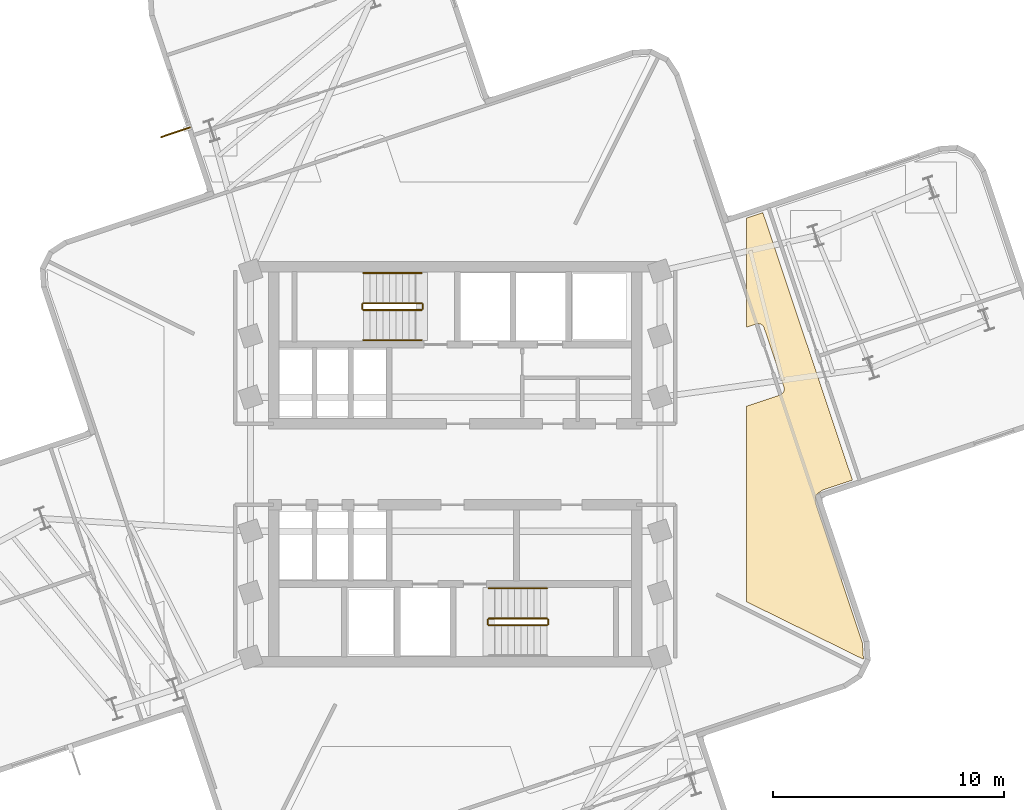
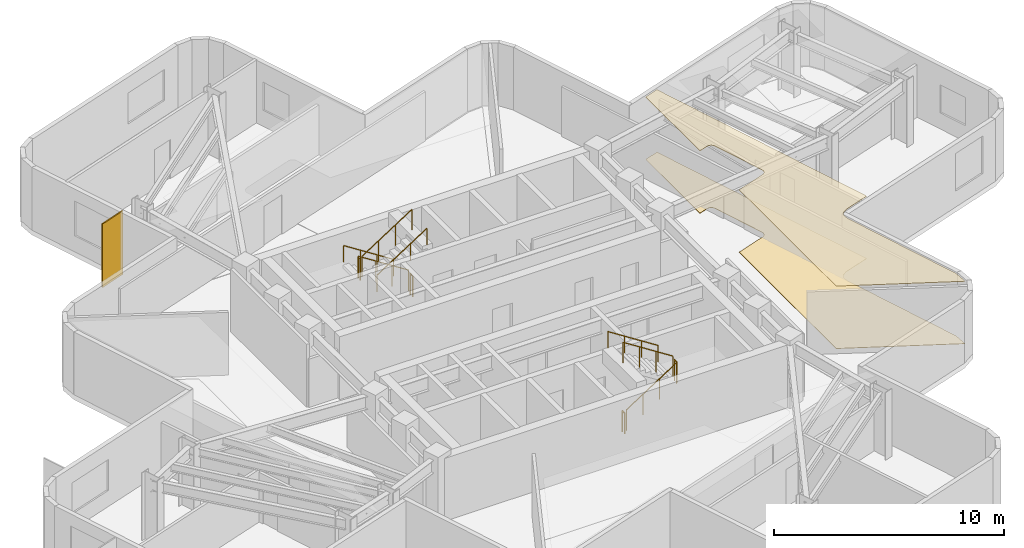
# One storey, part 7 of 8: 11 railings, 2 coverings, 1 shading device.
"""IFC4 building model written with IfcOpenShell, lengths in metres."""

from ifc_helpers import new_model, si_unit, direction, frame, origin, origin_2d, place, context, subcontext, project, spatial, polyline, rectangle, circle, outline, extrude, material, layer, layer_set, type_object, element, save


model = new_model("IFC4")

# Units and contexts
model_context = context("Model", 3, precision=1e-05, world=origin(), true_north=direction((0.0, 1.0)))
body_context = subcontext(model_context, "Body", "Model", "MODEL_VIEW")
ifc_project = project(units=[si_unit("LENGTHUNIT", "METRE"), si_unit("AREAUNIT", "SQUARE_METRE"), si_unit("VOLUMEUNIT", "CUBIC_METRE"), si_unit("PLANEANGLEUNIT", "RADIAN"), si_unit("MASSUNIT", "GRAM", prefix="KILO")], contexts=[model_context])

# Site, building, storey
site_placement = place(None, origin())
site = spatial("IfcSite", under=ifc_project, at=site_placement, CompositionType="ELEMENT")
building_placement = place(site_placement, origin())
building = spatial("IfcBuilding", under=site, at=building_placement, Name="Solmarez Civic Tower", CompositionType="ELEMENT")
storey_placement = place(building_placement, frame((0.0, 0.0, 159.47998046875)))
storey = spatial("IfcBuildingStorey", under=building, at=storey_placement, Name="L42", CompositionType="ELEMENT", Elevation=159.47998046875)

# Coverings
ifc_material_1 = material(Name="Perforated Mineral-Fibre Acoustic Ceiling")
ifc_layer_1 = layer(ifc_material_1, 0.02490234375)
ifc_layer_set_1 = layer_set([ifc_layer_1], Name="Perforated Mineral-Fibre Acoustic Ceiling")
covering_type_1 = type_object("IfcCoveringType", Name="COV-CEIL-ACOUSTIC", PredefinedType="CEILING", material=ifc_layer_set_1)
covering_1_placement = place(storey_placement, frame((0.0, 0.0, 3.31494140625)))
element("IfcCovering", 1, at=covering_1_placement, inside=storey, type_object=covering_type_1, Name="L42 Suspended Acoustic Ceiling 3", PredefinedType="CEILING", context=body_context, shape_type="SweptSolid", body=[
    extrude(outline(polyline([(12.60009765625, 10.64794921875), (12.60009765625, 5.924072265625), (13.01611328125, 6.06298828125), (13.030029296875, 6.068115234375), (13.050048828125, 6.072998046875), (13.054931640625, 6.073974609375), (13.075927734375, 6.076904296875), (13.097900390625, 6.077880859375), (13.10693359375, 6.077880859375), (13.12890625, 6.076904296875), (13.14990234375, 6.073974609375), (13.155029296875, 6.072998046875), (13.159912109375, 6.072021484375), (13.18701171875, 6.06494140625), (13.196044921875, 6.06201171875), (13.215087890625, 6.053955078125), (13.23291015625, 6.044921875), (13.241943359375, 6.0400390625), (13.259033203125, 6.030029296875), (13.27490234375, 6.01708984375), (13.291015625, 6.00390625), (13.298095703125, 5.9970703125), (13.31396484375, 5.97802734375), (13.3291015625, 5.9580078125), (13.333984375, 5.949951171875), (13.347900390625, 5.922119140625), (13.35205078125, 5.9130859375), (13.360107421875, 5.89404296875), (14.216064453125, 3.3359375), (14.220947265625, 3.322021484375), (14.22607421875, 3.302001953125), (14.22705078125, 3.297119140625), (14.22998046875, 3.27587890625), (14.23095703125, 3.25390625), (14.23095703125, 3.2451171875), (14.22998046875, 3.222900390625), (14.22705078125, 3.201904296875), (14.22607421875, 3.197021484375), (14.22509765625, 3.19189453125), (14.218017578125, 3.1650390625), (14.215087890625, 3.156005859375), (14.2060546875, 3.134033203125), (14.195068359375, 3.113037109375), (14.19189453125, 3.10791015625), (14.180908203125, 3.092041015625), (14.169921875, 3.077880859375), (14.1650390625, 3.072021484375), (14.156982421875, 3.06201171875), (14.14306640625, 3.048095703125), (14.126953125, 3.034912109375), (14.111083984375, 3.02294921875), (14.10302734375, 3.01806640625), (14.074951171875, 3.00390625), (14.06591796875, 3.0), (14.047119140625, 2.991943359375), (12.60009765625, 2.508056640625), (12.60009765625, -5.950927734375), (17.65087890625, -8.43505859375), (17.654052734375, -8.428955078125), (17.610107421875, -7.720947265625), (15.611083984375, -1.748046875), (15.60791015625, -1.738037109375), (15.60595703125, -1.73095703125), (15.60009765625, -1.701904296875), (15.59912109375, -1.695068359375), (15.597900390625, -1.68798828125), (15.595947265625, -1.6708984375), (15.5849609375, -1.4990234375), (15.5849609375, -1.485107421875), (15.5849609375, -1.47802734375), (15.5869140625, -1.450927734375), (15.587890625, -1.43896484375), (15.589111328125, -1.431884765625), (15.593994140625, -1.409912109375), (15.595947265625, -1.402099609375), (15.60107421875, -1.385009765625), (15.60693359375, -1.367919921875), (15.610107421875, -1.361083984375), (15.614990234375, -1.35009765625), (15.617919921875, -1.343994140625), (15.6240234375, -1.3330078125), (15.6279296875, -1.325927734375), (15.637939453125, -1.31005859375), (15.64990234375, -1.2939453125), (15.655029296875, -1.2880859375), (15.659912109375, -1.281982421875), (15.673095703125, -1.26708984375), (15.68798828125, -1.25390625), (15.694091796875, -1.2490234375), (15.712890625, -1.235107421875), (15.718994140625, -1.23095703125), (15.862060546875, -1.135986328125), (15.867919921875, -1.132080078125), (15.885009765625, -1.1220703125), (15.903076171875, -1.113037109375), (15.909912109375, -1.110107421875), (15.927001953125, -1.10302734375), (15.93310546875, -1.10107421875), (17.176025390625, -0.68603515625), (13.303955078125, 10.884033203125), (12.60009765625, 10.64794921875)])), origin(), (0.0, 0.0, 1.0), 0.025146484375),
])
ifc_material_2 = material(Name="Polished Tropical Stone Terrazzo Flooring", Category="masonry")
ifc_layer_2 = layer(ifc_material_2, 0.02001953125)
ifc_layer_set_2 = layer_set([ifc_layer_2], Name="Polished Tropical Stone Terrazzo Flooring")
covering_type_2 = type_object("IfcCoveringType", Name="COV-FLOOR-TERRAZZO", PredefinedType="FLOORING", material=ifc_layer_set_2)
covering_2_placement = place(storey_placement, origin())
element("IfcCovering", 2, at=covering_2_placement, inside=storey, type_object=covering_type_2, Name="L42 Terrazzo Floor Finish 3", PredefinedType="FLOORING", context=body_context, shape_type="SweptSolid", body=[
    extrude(outline(polyline([(12.60009765625, 10.64794921875), (12.60009765625, 5.924072265625), (13.01611328125, 6.06298828125), (13.030029296875, 6.068115234375), (13.050048828125, 6.072998046875), (13.054931640625, 6.073974609375), (13.075927734375, 6.076904296875), (13.097900390625, 6.077880859375), (13.10693359375, 6.077880859375), (13.12890625, 6.076904296875), (13.14990234375, 6.073974609375), (13.155029296875, 6.072998046875), (13.159912109375, 6.072021484375), (13.18701171875, 6.06494140625), (13.196044921875, 6.06201171875), (13.215087890625, 6.053955078125), (13.23291015625, 6.044921875), (13.241943359375, 6.0400390625), (13.259033203125, 6.030029296875), (13.27490234375, 6.01708984375), (13.291015625, 6.00390625), (13.298095703125, 5.9970703125), (13.31396484375, 5.97802734375), (13.3291015625, 5.9580078125), (13.333984375, 5.949951171875), (13.347900390625, 5.922119140625), (13.35205078125, 5.9130859375), (13.360107421875, 5.89404296875), (14.216064453125, 3.3359375), (14.220947265625, 3.322021484375), (14.22607421875, 3.302001953125), (14.22705078125, 3.297119140625), (14.22998046875, 3.27587890625), (14.23095703125, 3.25390625), (14.23095703125, 3.2451171875), (14.22998046875, 3.222900390625), (14.22705078125, 3.201904296875), (14.22607421875, 3.197021484375), (14.22509765625, 3.19189453125), (14.218017578125, 3.1650390625), (14.215087890625, 3.156005859375), (14.2060546875, 3.134033203125), (14.195068359375, 3.113037109375), (14.19189453125, 3.10791015625), (14.180908203125, 3.092041015625), (14.169921875, 3.077880859375), (14.1650390625, 3.072021484375), (14.156982421875, 3.06201171875), (14.14306640625, 3.048095703125), (14.126953125, 3.034912109375), (14.111083984375, 3.02294921875), (14.10302734375, 3.01806640625), (14.074951171875, 3.00390625), (14.06591796875, 3.0), (14.047119140625, 2.991943359375), (12.60009765625, 2.508056640625), (12.60009765625, -5.950927734375), (17.65087890625, -8.43505859375), (17.654052734375, -8.428955078125), (17.610107421875, -7.720947265625), (15.611083984375, -1.748046875), (15.60791015625, -1.738037109375), (15.60595703125, -1.73095703125), (15.60009765625, -1.701904296875), (15.59912109375, -1.695068359375), (15.597900390625, -1.68798828125), (15.595947265625, -1.6708984375), (15.5849609375, -1.4990234375), (15.5849609375, -1.485107421875), (15.5849609375, -1.47802734375), (15.5869140625, -1.450927734375), (15.587890625, -1.43896484375), (15.589111328125, -1.431884765625), (15.593994140625, -1.409912109375), (15.595947265625, -1.402099609375), (15.60107421875, -1.385009765625), (15.60693359375, -1.367919921875), (15.610107421875, -1.361083984375), (15.614990234375, -1.35009765625), (15.617919921875, -1.343994140625), (15.6240234375, -1.3330078125), (15.6279296875, -1.325927734375), (15.637939453125, -1.31005859375), (15.64990234375, -1.2939453125), (15.655029296875, -1.2880859375), (15.659912109375, -1.281982421875), (15.673095703125, -1.26708984375), (15.68798828125, -1.25390625), (15.694091796875, -1.2490234375), (15.712890625, -1.235107421875), (15.718994140625, -1.23095703125), (15.862060546875, -1.135986328125), (15.867919921875, -1.132080078125), (15.885009765625, -1.1220703125), (15.903076171875, -1.113037109375), (15.909912109375, -1.110107421875), (15.927001953125, -1.10302734375), (15.93310546875, -1.10107421875), (17.176025390625, -0.68603515625), (13.303955078125, 10.884033203125), (12.60009765625, 10.64794921875)])), origin(), (0.0, 0.0, 1.0), 0.02001953125),
])

# Shading device
ifc_material_3 = material(Name="Bronze Anodised Aluminium EN AW-6063 T6", Category="aluminium")
ifc_layer_3 = layer(ifc_material_3, 0.06005859375)
ifc_layer_set_3 = layer_set([ifc_layer_3], Name="Bronze Anodised Aluminium EN AW-6063 T6")
shading_device_type = type_object("IfcShadingDeviceType", Name="FIN-BRONZE-Z34", PredefinedType="USERDEFINED", material=ifc_layer_set_3)
shading_device_placement = place(storey_placement, frame((-12.094970703125, 14.35693359375, -0.0400390625), z_axis=(0.0, 0.0, 1.0), x_axis=(-0.946017496973, -0.324115558747, 0.0)))
element("IfcShadingDevice", 3, at=shading_device_placement, inside=storey, type_object=shading_device_type, Name="L42 Anodised Bronze Solar Fin FIN-L42-04", ObjectType="FIN", PredefinedType="USERDEFINED", context=body_context, shape_type="SweptSolid", body=[
    extrude(rectangle(XDim=1.35009765625, YDim=0.06005859375, at=origin_2d()), origin(), (0.0, 0.0, 1.0), 3.3798828125),
])

# Railings
ifc_material_4 = material(Name="Painted Steel Stairwell Safety Guard", Category="steel")
railing_type_1 = type_object("IfcRailingType", Name="GUARD-STAIR-1120", PredefinedType="BALUSTRADE", material=ifc_material_4)
railing_1_placement = place(storey_placement, frame((-1.449951171875, 6.969970703125, 0.179931640625)))
element("IfcRailing", 4, at=railing_1_placement, inside=storey, type_object=railing_type_1, Name="L42 ST-1 stair guard 1", PredefinedType="BALUSTRADE", context=body_context, shape_type="SweptSolid", body=[
    extrude(circle(Radius=0.02392578125, at=origin_2d()), frame((0.0, 0.0, 1.09619140625), z_axis=(-0.841162588446, 0.0, 0.540782303519), x_axis=(0.0, -1.0, 0.0)), (0.0, 0.0, 1.0), 2.995849609375),
    extrude(circle(Radius=0.02099609375, at=origin_2d()), origin(), (0.0, 0.0, 1.0), 1.072021484375),
    extrude(circle(Radius=0.02099609375, at=origin_2d()), frame((-0.840087890625, 0.0, 0.5400390625)), (0.0, 0.0, 1.0), 1.072021484375),
    extrude(circle(Radius=0.02099609375, at=origin_2d()), frame((-1.679931640625, 0.0, 1.080078125)), (0.0, 0.0, 1.0), 1.072021484375),
    extrude(circle(Radius=0.02099609375, at=origin_2d()), frame((-2.52001953125, 0.0, 1.6201171875)), (0.0, 0.0, 1.0), 1.072021484375),
])
railing_2_placement = place(storey_placement, frame((-4.02001953125, 6.919921875, 1.800048828125)))
element("IfcRailing", 5, at=railing_2_placement, inside=storey, type_object=railing_type_1, Name="L42 ST-1 stair guard 2", PredefinedType="BALUSTRADE", context=body_context, shape_type="SweptSolid", body=[
    extrude(circle(Radius=0.02392578125, at=origin_2d()), frame((0.0, 0.0, 1.09619140625), z_axis=(0.0, -1.0, 0.0), x_axis=(1.0, 0.0, 0.0)), (0.0, 0.0, 1.0), 0.199951171875),
    extrude(circle(Radius=0.02099609375, at=origin_2d()), origin(), (0.0, 0.0, 1.0), 1.072021484375),
    extrude(circle(Radius=0.02099609375, at=origin_2d()), frame((0.0, -0.199951171875, 0.0)), (0.0, 0.0, 1.0), 1.072021484375),
])
railing_3_placement = place(storey_placement, frame((-3.969970703125, 6.669921875, 1.97998046875)))
element("IfcRailing", 6, at=railing_3_placement, inside=storey, type_object=railing_type_1, Name="L42 ST-1 stair guard 3", PredefinedType="BALUSTRADE", context=body_context, shape_type="SweptSolid", body=[
    extrude(circle(Radius=0.02392578125, at=origin_2d()), frame((0.0, 0.0, 1.09619140625), z_axis=(0.841162588446, 0.0, 0.540782303519), x_axis=(0.0, 1.0, 0.0)), (0.0, 0.0, 1.0), 2.995849609375),
    extrude(circle(Radius=0.02099609375, at=origin_2d()), origin(), (0.0, 0.0, 1.0), 1.072021484375),
    extrude(circle(Radius=0.02099609375, at=origin_2d()), frame((0.840087890625, 0.0, 0.5400390625)), (0.0, 0.0, 1.0), 1.072021484375),
    extrude(circle(Radius=0.02099609375, at=origin_2d()), frame((1.679931640625, 0.0, 1.080078125)), (0.0, 0.0, 1.0), 1.072021484375),
    extrude(circle(Radius=0.02099609375, at=origin_2d()), frame((2.52001953125, 0.0, 1.6201171875)), (0.0, 0.0, 1.0), 1.072021484375),
])
railing_4_placement = place(storey_placement, frame((-1.39990234375, 6.919921875, 0.0)))
element("IfcRailing", 7, at=railing_4_placement, inside=storey, type_object=railing_type_1, Name="L42 ST-1 stair guard 4", PredefinedType="BALUSTRADE", context=body_context, shape_type="SweptSolid", body=[
    extrude(circle(Radius=0.02392578125, at=origin_2d()), frame((0.0, 0.0, 1.09619140625), z_axis=(0.0, -1.0, 0.0), x_axis=(1.0, 0.0, 0.0)), (0.0, 0.0, 1.0), 0.199951171875),
    extrude(circle(Radius=0.02099609375, at=origin_2d()), origin(), (0.0, 0.0, 1.0), 1.072021484375),
    extrude(circle(Radius=0.02099609375, at=origin_2d()), frame((0.0, -0.199951171875, 0.0)), (0.0, 0.0, 1.0), 1.072021484375),
])
railing_5_placement = place(storey_placement, frame((1.449951171875, -6.969970703125, 0.179931640625)))
element("IfcRailing", 8, at=railing_5_placement, inside=storey, type_object=railing_type_1, Name="L42 ST-2 stair guard 1", PredefinedType="BALUSTRADE", context=body_context, shape_type="SweptSolid", body=[
    extrude(circle(Radius=0.02392578125, at=origin_2d()), frame((0.0, 0.0, 1.09619140625), z_axis=(0.841162588446, 0.0, 0.540782303519), x_axis=(0.0, 1.0, 0.0)), (0.0, 0.0, 1.0), 2.995849609375),
    extrude(circle(Radius=0.02099609375, at=origin_2d()), origin(), (0.0, 0.0, 1.0), 1.072021484375),
    extrude(circle(Radius=0.02099609375, at=origin_2d()), frame((0.840087890625, 0.0, 0.5400390625)), (0.0, 0.0, 1.0), 1.072021484375),
    extrude(circle(Radius=0.02099609375, at=origin_2d()), frame((1.679931640625, 0.0, 1.080078125)), (0.0, 0.0, 1.0), 1.072021484375),
    extrude(circle(Radius=0.02099609375, at=origin_2d()), frame((2.52001953125, 0.0, 1.6201171875)), (0.0, 0.0, 1.0), 1.072021484375),
])
railing_6_placement = place(storey_placement, frame((4.02001953125, -6.919921875, 1.800048828125)))
element("IfcRailing", 9, at=railing_6_placement, inside=storey, type_object=railing_type_1, Name="L42 ST-2 stair guard 2", PredefinedType="BALUSTRADE", context=body_context, shape_type="SweptSolid", body=[
    extrude(circle(Radius=0.02392578125, at=origin_2d()), frame((0.0, 0.0, 1.09619140625), z_axis=(0.0, 1.0, 0.0), x_axis=(-1.0, 0.0, 0.0)), (0.0, 0.0, 1.0), 0.199951171875),
    extrude(circle(Radius=0.02099609375, at=origin_2d()), origin(), (0.0, 0.0, 1.0), 1.072021484375),
    extrude(circle(Radius=0.02099609375, at=origin_2d()), frame((0.0, 0.199951171875, 0.0)), (0.0, 0.0, 1.0), 1.072021484375),
])
railing_7_placement = place(storey_placement, frame((3.969970703125, -6.669921875, 1.97998046875)))
element("IfcRailing", 10, at=railing_7_placement, inside=storey, type_object=railing_type_1, Name="L42 ST-2 stair guard 3", PredefinedType="BALUSTRADE", context=body_context, shape_type="SweptSolid", body=[
    extrude(circle(Radius=0.02392578125, at=origin_2d()), frame((0.0, 0.0, 1.09619140625), z_axis=(-0.841162588446, 0.0, 0.540782303519), x_axis=(0.0, -1.0, 0.0)), (0.0, 0.0, 1.0), 2.995849609375),
    extrude(circle(Radius=0.02099609375, at=origin_2d()), origin(), (0.0, 0.0, 1.0), 1.072021484375),
    extrude(circle(Radius=0.02099609375, at=origin_2d()), frame((-0.840087890625, 0.0, 0.5400390625)), (0.0, 0.0, 1.0), 1.072021484375),
    extrude(circle(Radius=0.02099609375, at=origin_2d()), frame((-1.679931640625, 0.0, 1.080078125)), (0.0, 0.0, 1.0), 1.072021484375),
    extrude(circle(Radius=0.02099609375, at=origin_2d()), frame((-2.52001953125, 0.0, 1.6201171875)), (0.0, 0.0, 1.0), 1.072021484375),
])
railing_8_placement = place(storey_placement, frame((1.39990234375, -6.919921875, 0.0)))
element("IfcRailing", 11, at=railing_8_placement, inside=storey, type_object=railing_type_1, Name="L42 ST-2 stair guard 4", PredefinedType="BALUSTRADE", context=body_context, shape_type="SweptSolid", body=[
    extrude(circle(Radius=0.02392578125, at=origin_2d()), frame((0.0, 0.0, 1.09619140625), z_axis=(0.0, 1.0, 0.0), x_axis=(-1.0, 0.0, 0.0)), (0.0, 0.0, 1.0), 0.199951171875),
    extrude(circle(Radius=0.02099609375, at=origin_2d()), origin(), (0.0, 0.0, 1.0), 1.072021484375),
    extrude(circle(Radius=0.02099609375, at=origin_2d()), frame((0.0, 0.199951171875, 0.0)), (0.0, 0.0, 1.0), 1.072021484375),
])
ifc_material_5 = material(Name="Brushed Stainless Steel Tube Handrail", Category="steel")
railing_type_2 = type_object("IfcRailingType", Name="HANDRAIL-STAIR-900", PredefinedType="HANDRAIL", material=ifc_material_5)
railing_9_placement = place(storey_placement, frame((-1.449951171875, 8.27001953125, 0.179931640625)))
element("IfcRailing", 12, at=railing_9_placement, inside=storey, type_object=railing_type_2, Name="L42 ST-1 stair handrail 1", PredefinedType="HANDRAIL", context=body_context, shape_type="SweptSolid", body=[
    extrude(circle(Radius=0.02392578125, at=origin_2d()), frame((0.0, 0.0, 0.8759765625), z_axis=(-0.841162588446, 0.0, 0.540782303519), x_axis=(0.0, -1.0, 0.0)), (0.0, 0.0, 1.0), 2.995849609375),
    extrude(circle(Radius=0.02099609375, at=origin_2d()), origin(), (0.0, 0.0, 1.0), 0.851806640625),
    extrude(circle(Radius=0.02099609375, at=origin_2d()), frame((-0.840087890625, 0.0, 0.5400390625)), (0.0, 0.0, 1.0), 0.851806640625),
    extrude(circle(Radius=0.02099609375, at=origin_2d()), frame((-1.679931640625, 0.0, 1.080078125)), (0.0, 0.0, 1.0), 0.851806640625),
    extrude(circle(Radius=0.02099609375, at=origin_2d()), frame((-2.52001953125, 0.0, 1.6201171875)), (0.0, 0.0, 1.0), 0.851806640625),
])
railing_10_placement = place(storey_placement, frame((-3.969970703125, 5.3701171875, 1.97998046875)))
element("IfcRailing", 13, at=railing_10_placement, inside=storey, type_object=railing_type_2, Name="L42 ST-1 stair handrail 2", PredefinedType="HANDRAIL", context=body_context, shape_type="SweptSolid", body=[
    extrude(circle(Radius=0.02392578125, at=origin_2d()), frame((0.0, 0.0, 0.8759765625), z_axis=(0.841162588446, 0.0, 0.540782303519), x_axis=(0.0, 1.0, 0.0)), (0.0, 0.0, 1.0), 2.995849609375),
    extrude(circle(Radius=0.02099609375, at=origin_2d()), origin(), (0.0, 0.0, 1.0), 0.851806640625),
    extrude(circle(Radius=0.02099609375, at=origin_2d()), frame((0.840087890625, 0.0, 0.5400390625)), (0.0, 0.0, 1.0), 0.851806640625),
    extrude(circle(Radius=0.02099609375, at=origin_2d()), frame((1.679931640625, 0.0, 1.080078125)), (0.0, 0.0, 1.0), 0.851806640625),
    extrude(circle(Radius=0.02099609375, at=origin_2d()), frame((2.52001953125, 0.0, 1.6201171875)), (0.0, 0.0, 1.0), 0.851806640625),
])
railing_11_placement = place(storey_placement, frame((3.969970703125, -5.3701171875, 1.97998046875)))
element("IfcRailing", 14, at=railing_11_placement, inside=storey, type_object=railing_type_2, Name="L42 ST-2 stair handrail 2", PredefinedType="HANDRAIL", context=body_context, shape_type="SweptSolid", body=[
    extrude(circle(Radius=0.02392578125, at=origin_2d()), frame((0.0, 0.0, 0.8759765625), z_axis=(-0.841162588446, 0.0, 0.540782303519), x_axis=(0.0, -1.0, 0.0)), (0.0, 0.0, 1.0), 2.995849609375),
    extrude(circle(Radius=0.02099609375, at=origin_2d()), origin(), (0.0, 0.0, 1.0), 0.851806640625),
    extrude(circle(Radius=0.02099609375, at=origin_2d()), frame((-0.840087890625, 0.0, 0.5400390625)), (0.0, 0.0, 1.0), 0.851806640625),
    extrude(circle(Radius=0.02099609375, at=origin_2d()), frame((-1.679931640625, 0.0, 1.080078125)), (0.0, 0.0, 1.0), 0.851806640625),
    extrude(circle(Radius=0.02099609375, at=origin_2d()), frame((-2.52001953125, 0.0, 1.6201171875)), (0.0, 0.0, 1.0), 0.851806640625),
])

save(model, "model.ifc")
